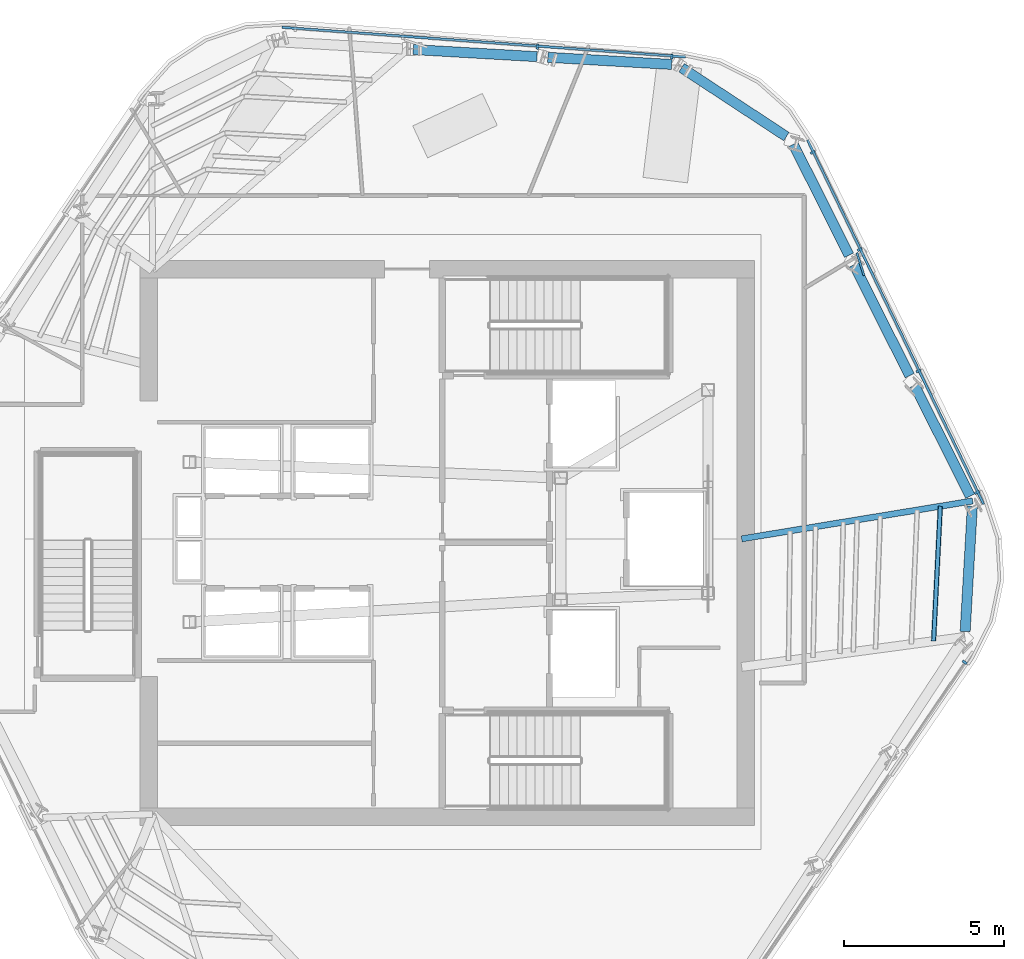
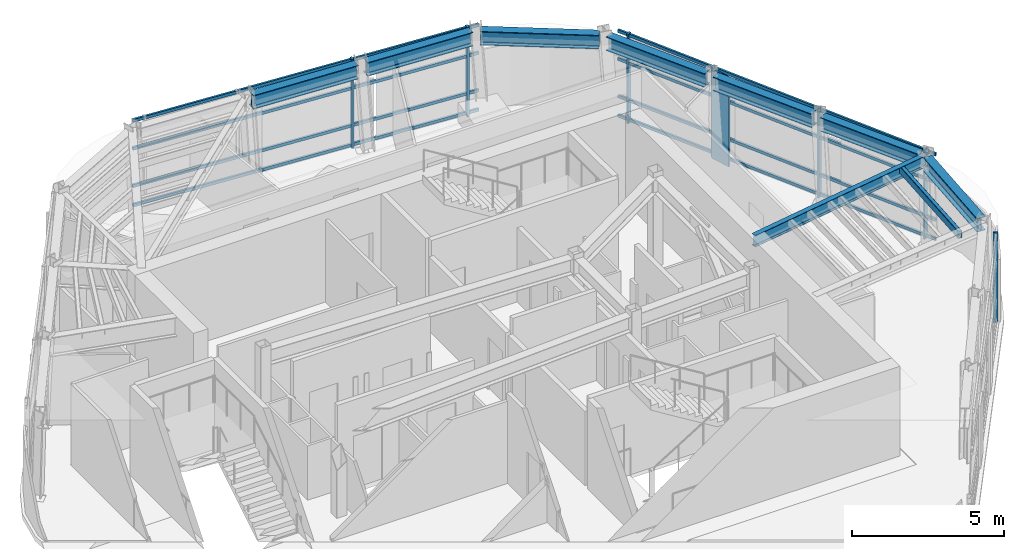
# One storey, part 4 of 11: 17 members, 8 beams, 3 elements without a shape of their own.
"""IFC4 building model written with IfcOpenShell, lengths in metres."""

from ifc_helpers import new_model, si_unit, direction, frame, origin, origin_2d, place, context, subcontext, project, spatial, rectangle, hollow_rectangle, i_section, extrude, material, layer, layer_set, material_profile, profile_set, type_object, element, aggregate, save


model = new_model("IFC4")

# Units and contexts
model_context = context("Model", 3, precision=1e-05, world=origin(), true_north=direction((0.0, 1.0)))
body_context = subcontext(model_context, "Body", "Model", "MODEL_VIEW")
ifc_project = project(units=[si_unit("LENGTHUNIT", "METRE"), si_unit("AREAUNIT", "SQUARE_METRE"), si_unit("VOLUMEUNIT", "CUBIC_METRE"), si_unit("PLANEANGLEUNIT", "RADIAN"), si_unit("MASSUNIT", "GRAM", prefix="KILO")], contexts=[model_context])

# Site, building, storey
site_placement = place(None, origin())
site = spatial("IfcSite", under=ifc_project, at=site_placement, CompositionType="ELEMENT")
building_placement = place(site_placement, origin())
building = spatial("IfcBuilding", under=site, at=building_placement, Name="Valkerne Bourse Tower", CompositionType="ELEMENT")
storey_placement = place(building_placement, frame((0.0, 0.0, 266.0)))
storey = spatial("IfcBuildingStorey", under=building, at=storey_placement, Name="L67", CompositionType="ELEMENT", Elevation=266.0)

# Beams
ifc_material_1 = material(Name="Steel ASTM A992", Category="steel")
ifc_material_profile_1 = material_profile(ifc_material_1, i_section(OverallWidth=0.1904296875, OverallDepth=0.457275390625, WebThickness=0.009033203125, FlangeThickness=0.014404296875, FilletRadius=0.01513671875, at=origin_2d()), Name="W18X50")
ifc_profile_set_1 = profile_set([ifc_material_profile_1], Name="Steel ASTM A992")
beam_type_1 = type_object("IfcBeamType", Name="BM-W18X50", PredefinedType="JOIST", material=ifc_profile_set_1)
beam_1_placement = place(storey_placement, frame((63.216796875, 28.184814453125, 3.371337890625), z_axis=(-0.986789808583, -0.16200578285, 0.0), x_axis=(0.16200578285, -0.986789808583, 0.0)))
element("IfcBeam", 1, at=beam_1_placement, inside=storey, type_object=beam_type_1, Name="L67 Radial Composite Floor Beam 20", PredefinedType="JOIST", context=body_context, shape_type="SweptSolid", body=[
    extrude(i_section(OverallWidth=0.1904296875, OverallDepth=0.457275390625, WebThickness=0.009033203125, FlangeThickness=0.014404296875, FilletRadius=0.01513671875, at=origin_2d()), origin(), (0.0, 0.0, 1.0), 7.3134765625),
])
ifc_material_profile_2 = material_profile(ifc_material_1, i_section(OverallWidth=0.31494140625, OverallDepth=0.5537109375, WebThickness=0.0166015625, FlangeThickness=0.026123046875, FilletRadius=0.020263671875, at=origin_2d()), Name="W21X132")
ifc_profile_set_2 = profile_set([ifc_material_profile_2], Name="Steel ASTM A992")
beam_type_2 = type_object("IfcBeamType", Name="BM-W21X132", PredefinedType="BEAM", material=ifc_profile_set_2)
beam_2_placement = place(storey_placement, frame((53.812744140625, 41.819580078125, 3.322998046875), z_axis=(-0.998341753912, 0.057565114394, 0.0), x_axis=(-0.057565114394, -0.998341753912, 0.0)))
element("IfcBeam", 2, at=beam_2_placement, inside=storey, type_object=beam_type_2, Name="L67 Hexagonal Spandrel Ring Beam 00", PredefinedType="BEAM", context=body_context, shape_type="SweptSolid", body=[
    extrude(i_section(OverallWidth=0.31494140625, OverallDepth=0.5537109375, WebThickness=0.0166015625, FlangeThickness=0.026123046875, FilletRadius=0.020263671875, at=origin_2d()), origin(), (0.0, 0.0, 1.0), 3.8720703125),
])
beam_3_placement = place(storey_placement, frame((49.607666015625, 42.06201171875, 3.322998046875), z_axis=(-0.998341544959, 0.057568738113, 0.0), x_axis=(-0.057568738113, -0.998341544959, 0.0)))
element("IfcBeam", 3, at=beam_3_placement, inside=storey, type_object=beam_type_2, Name="L67 Hexagonal Spandrel Ring Beam 01", PredefinedType="BEAM", context=body_context, shape_type="SweptSolid", body=[
    extrude(i_section(OverallWidth=0.31494140625, OverallDepth=0.5537109375, WebThickness=0.0166015625, FlangeThickness=0.026123046875, FilletRadius=0.020263671875, at=origin_2d()), origin(), (0.0, 0.0, 1.0), 3.871826171875),
])
beam_4_placement = place(storey_placement, frame((62.981689453125, 24.10595703125, 3.322998046875), z_axis=(0.057548732861, 0.998342698349, 0.0), x_axis=(-0.998342698349, 0.057548732861, 0.0)))
element("IfcBeam", 4, at=beam_4_placement, inside=storey, type_object=beam_type_2, Name="L67 Hexagonal Spandrel Ring Beam 19", PredefinedType="BEAM", context=body_context, shape_type="SweptSolid", body=[
    extrude(i_section(OverallWidth=0.31494140625, OverallDepth=0.5537109375, WebThickness=0.0166015625, FlangeThickness=0.026123046875, FilletRadius=0.020263671875, at=origin_2d()), origin(), (0.0, 0.0, 1.0), 3.915771484375),
])
for number, where, z_axis, x_axis, name in (
    (5, (63.140380859375, 28.336669921875, 3.322998046875), (-0.449280667329, 0.893390665926, 0.0), (-0.893390665926, -0.449280667329, 0.0), "L67 Hexagonal Spandrel Ring Beam 20"),
    (6, (61.248046875, 32.099609375, 3.322998046875), (-0.449330993887, 0.893365355234, 0.0), (-0.893365355234, -0.449330993887, 0.0), "L67 Hexagonal Spandrel Ring Beam 21"),
):
    element("IfcBeam", number, at=place(storey_placement, frame(where, z_axis=z_axis, x_axis=x_axis)), inside=storey, type_object=beam_type_2, Name=name, PredefinedType="BEAM", context=body_context, shape_type="SweptSolid", body=[
        extrude(i_section(OverallWidth=0.31494140625, OverallDepth=0.5537109375, WebThickness=0.0166015625, FlangeThickness=0.026123046875, FilletRadius=0.020263671875, at=origin_2d()), origin(), (0.0, 0.0, 1.0), 3.871826171875),
    ])
beam_5_placement = place(storey_placement, frame((59.35546875, 35.8623046875, 3.322998046875), z_axis=(-0.44930568374, 0.893378084888, 0.0), x_axis=(-0.893378084888, -0.44930568374, 0.0)))
element("IfcBeam", 7, at=beam_5_placement, inside=storey, type_object=beam_type_2, Name="L67 Hexagonal Spandrel Ring Beam 22", PredefinedType="BEAM", context=body_context, shape_type="SweptSolid", body=[
    extrude(i_section(OverallWidth=0.31494140625, OverallDepth=0.5537109375, WebThickness=0.0166015625, FlangeThickness=0.026123046875, FilletRadius=0.020263671875, at=origin_2d()), origin(), (0.0, 0.0, 1.0), 3.8720703125),
])
beam_6_placement = place(storey_placement, frame((57.397216796875, 39.566650390625, 3.322998046875), z_axis=(-0.835791315198, 0.54904724518, 0.0), x_axis=(-0.54904724518, -0.835791315198, 0.0)))
element("IfcBeam", 8, at=beam_6_placement, inside=storey, type_object=beam_type_2, Name="L67 Hexagonal Spandrel Ring Beam 23", PredefinedType="BEAM", context=body_context, shape_type="SweptSolid", body=[
    extrude(i_section(OverallWidth=0.31494140625, OverallDepth=0.5537109375, WebThickness=0.0166015625, FlangeThickness=0.026123046875, FilletRadius=0.020263671875, at=origin_2d()), origin(), (0.0, 0.0, 1.0), 3.915771484375),
])

# Curtain wall, members
ifc_material_2 = material(Name="Aluminium AA 6063-T6", Category="aluminium")
ifc_layer = layer(ifc_material_2, 0.2451171875)
ifc_layer_set = layer_set([ifc_layer], Name="Aluminium AA 6063-T6")
curtain_wall_type = type_object("IfcCurtainWallType", Name="CW-05", PredefinedType="NOTDEFINED", material=ifc_layer_set)
curtain_wall_1_placement = place(storey_placement, origin())
curtain_wall_1 = element("IfcCurtainWall", 9, at=curtain_wall_1_placement, inside=storey, type_object=curtain_wall_type, Name="L67 Hexagonal Stick Curtain Wall Face 1", PredefinedType="NOTDEFINED")
ifc_material_profile_3 = material_profile(ifc_material_2, rectangle(XDim=0.074951171875, YDim=0.159912109375, at=origin_2d()), Name="CWM-75X160")
ifc_profile_set_3 = profile_set([ifc_material_profile_3], Name="Aluminium AA 6063-T6")
member_type_1 = type_object("IfcMemberType", Name="CW-MUL-160X75", PredefinedType="MULLION", material=ifc_profile_set_3)
member_1_placement = place(storey_placement, frame((53.8203125, 42.06494140625, 0.0), z_axis=(0.0, 0.0, 1.0), x_axis=(-0.997314132558, 0.073242890438, 0.0)))
member_1 = element("IfcMember", 10, at=member_1_placement, type_object=member_type_1, Name="CW-L67-F1 Jamb Mullion 00A", PredefinedType="MULLION", context=body_context, shape_type="SweptSolid", body=[
    extrude(rectangle(XDim=0.074951171875, YDim=0.159912109375, at=origin_2d()), origin(), (0.0, 0.0, 1.0), 3.60009765625),
])
member_2_placement = place(storey_placement, frame((49.619384765625, 42.37353515625, 0.0), z_axis=(0.0, 0.0, 1.0), x_axis=(-0.997314132558, 0.073242890438, 0.0)))
member_2 = element("IfcMember", 11, at=member_2_placement, type_object=member_type_1, Name="CW-L67-F1 Jamb Mullion 01A", PredefinedType="MULLION", context=body_context, shape_type="SweptSolid", body=[
    extrude(rectangle(XDim=0.074951171875, YDim=0.159912109375, at=origin_2d()), origin(), (0.0, 0.0, 1.0), 3.60009765625),
])

# Curtain wall, member
curtain_wall_2_placement = place(storey_placement, origin())
curtain_wall_2 = element("IfcCurtainWall", 12, at=curtain_wall_2_placement, inside=storey, type_object=curtain_wall_type, Name="L67 Hexagonal Stick Curtain Wall Face 5", PredefinedType="NOTDEFINED")
member_3_placement = place(storey_placement, frame((62.966796875, 23.14404296875, 0.0), z_axis=(0.0, 0.0, 1.0), x_axis=(0.562091154776, 0.827075289029, 0.0)))
member_3 = element("IfcMember", 13, at=member_3_placement, type_object=member_type_1, Name="CW-L67-F5 Jamb Mullion 02B", PredefinedType="MULLION", context=body_context, shape_type="SweptSolid", body=[
    extrude(rectangle(XDim=0.074951171875, YDim=0.159912109375, at=origin_2d()), origin(), (0.0, 0.0, 1.0), 3.60009765625),
])
aggregate(curtain_wall_2, [member_3])

# Curtain wall, members
curtain_wall_3_placement = place(storey_placement, origin())
curtain_wall_3 = element("IfcCurtainWall", 14, at=curtain_wall_3_placement, inside=storey, type_object=curtain_wall_type, Name="L67 Hexagonal Stick Curtain Wall Face 6", PredefinedType="NOTDEFINED")
member_4_placement = place(storey_placement, frame((63.356689453125, 28.452880859375, 0.0), z_axis=(0.0, 0.0, 1.0), x_axis=(-0.435236340533, 0.900316237707, 0.0)))
member_4 = element("IfcMember", 15, at=member_4_placement, type_object=member_type_1, Name="CW-L67-F6 Jamb Mullion 00A", PredefinedType="MULLION", context=body_context, shape_type="SweptSolid", body=[
    extrude(rectangle(XDim=0.074951171875, YDim=0.159912109375, at=origin_2d()), origin(), (0.0, 0.0, 1.0), 3.60009765625),
])
member_5_placement = place(storey_placement, frame((61.523681640625, 32.2451171875, 0.0), z_axis=(0.0, 0.0, 1.0), x_axis=(-0.435236340533, 0.900316237707, 0.0)))
member_5 = element("IfcMember", 16, at=member_5_placement, type_object=member_type_1, Name="CW-L67-F6 Jamb Mullion 01A", PredefinedType="MULLION", context=body_context, shape_type="SweptSolid", body=[
    extrude(rectangle(XDim=0.074951171875, YDim=0.159912109375, at=origin_2d()), origin(), (0.0, 0.0, 1.0), 3.60009765625),
])
member_6_placement = place(storey_placement, frame((59.6904296875, 36.037109375, 0.0), z_axis=(0.0, 0.0, 1.0), x_axis=(-0.435227037453, 0.900320735, 0.0)))
member_6 = element("IfcMember", 17, at=member_6_placement, type_object=member_type_1, Name="CW-L67-F6 Jamb Mullion 02A", PredefinedType="MULLION", context=body_context, shape_type="SweptSolid", body=[
    extrude(rectangle(XDim=0.074951171875, YDim=0.159912109375, at=origin_2d()), origin(), (0.0, 0.0, 1.0), 3.60009765625),
])
member_7_placement = place(storey_placement, frame((58.222900390625, 39.072998046875, 0.0), z_axis=(0.0, 0.0, 1.0), x_axis=(-0.435227037453, 0.900320735, 0.0)))
member_7 = element("IfcMember", 18, at=member_7_placement, type_object=member_type_1, Name="CW-L67-F6 Jamb Mullion 02B", PredefinedType="MULLION", context=body_context, shape_type="SweptSolid", body=[
    extrude(rectangle(XDim=0.074951171875, YDim=0.159912109375, at=origin_2d()), origin(), (0.0, 0.0, 1.0), 3.60009765625),
])

# Member
ifc_material_profile_4 = material_profile(ifc_material_2, rectangle(XDim=0.074951171875, YDim=0.1201171875, at=origin_2d()), Name="CWT-75X120")
ifc_profile_set_4 = profile_set([ifc_material_profile_4], Name="Aluminium AA 6063-T6")
member_type_2 = type_object("IfcMemberType", Name="CW-TRN-120X75", PredefinedType="USERDEFINED", material=ifc_profile_set_4)
member_8_placement = place(storey_placement, frame((54.240478515625, 42.05419921875, 0.1201171875), z_axis=(-0.997315308342, 0.073226878581, 0.0), x_axis=(-0.073226878581, -0.997315308342, 0.0)))
member_8 = element("IfcMember", 19, at=member_8_placement, type_object=member_type_2, Name="CW-L67-F1 Continuous Face Transom 1", ObjectType="TRANSOM", PredefinedType="USERDEFINED", context=body_context, shape_type="SweptSolid", body=[
    extrude(rectangle(XDim=0.074951171875, YDim=0.1201171875, at=origin_2d()), origin(), (0.0, 0.0, 1.0), 12.635986328125),
])

member_9_placement = place(storey_placement, frame((54.240478515625, 42.05419921875, 0.89990234375), z_axis=(-0.997315308342, 0.073226878581, 0.0), x_axis=(-0.073226878581, -0.997315308342, 0.0)))
member_9 = element("IfcMember", 20, at=member_9_placement, type_object=member_type_2, Name="CW-L67-F1 Continuous Face Transom 2", ObjectType="TRANSOM", PredefinedType="USERDEFINED", context=body_context, shape_type="SweptSolid", body=[
    extrude(rectangle(XDim=0.074951171875, YDim=0.1201171875, at=origin_2d()), origin(), (0.0, 0.0, 1.0), 12.635986328125),
])

member_10_placement = place(storey_placement, frame((54.240478515625, 42.05419921875, 2.39990234375), z_axis=(-0.997315308342, 0.073226878581, 0.0), x_axis=(-0.073226878581, -0.997315308342, 0.0)))
member_10 = element("IfcMember", 21, at=member_10_placement, type_object=member_type_2, Name="CW-L67-F1 Continuous Face Transom 3", ObjectType="TRANSOM", PredefinedType="USERDEFINED", context=body_context, shape_type="SweptSolid", body=[
    extrude(rectangle(XDim=0.074951171875, YDim=0.1201171875, at=origin_2d()), origin(), (0.0, 0.0, 1.0), 12.635986328125),
])

member_11_placement = place(storey_placement, frame((54.240478515625, 42.05419921875, 3.52001953125), z_axis=(-0.997315308342, 0.073226878581, 0.0), x_axis=(-0.073226878581, -0.997315308342, 0.0)))
member_11 = element("IfcMember", 22, at=member_11_placement, type_object=member_type_2, Name="CW-L67-F1 Continuous Face Transom 4", ObjectType="TRANSOM", PredefinedType="USERDEFINED", context=body_context, shape_type="SweptSolid", body=[
    extrude(rectangle(XDim=0.074951171875, YDim=0.1201171875, at=origin_2d()), origin(), (0.0, 0.0, 1.0), 12.635986328125),
])

aggregate(curtain_wall_1, [member_8, member_9, member_10, member_11, member_1, member_2])

member_12_placement = place(storey_placement, frame((63.5576171875, 28.08349609375, 0.1201171875), z_axis=(-0.43522556557, 0.900321446526, 0.0), x_axis=(-0.900321446526, -0.43522556557, 0.0)))
member_12 = element("IfcMember", 23, at=member_12_placement, type_object=member_type_2, Name="CW-L67-F6 Continuous Face Transom 1", ObjectType="TRANSOM", PredefinedType="USERDEFINED", context=body_context, shape_type="SweptSolid", body=[
    extrude(rectangle(XDim=0.074951171875, YDim=0.1201171875, at=origin_2d()), origin(), (0.0, 0.0, 1.0), 12.635986328125),
])

member_13_placement = place(storey_placement, frame((63.5576171875, 28.08349609375, 0.89990234375), z_axis=(-0.43522556557, 0.900321446526, 0.0), x_axis=(-0.900321446526, -0.43522556557, 0.0)))
member_13 = element("IfcMember", 24, at=member_13_placement, type_object=member_type_2, Name="CW-L67-F6 Continuous Face Transom 2", ObjectType="TRANSOM", PredefinedType="USERDEFINED", context=body_context, shape_type="SweptSolid", body=[
    extrude(rectangle(XDim=0.074951171875, YDim=0.1201171875, at=origin_2d()), origin(), (0.0, 0.0, 1.0), 12.635986328125),
])

member_14_placement = place(storey_placement, frame((63.5576171875, 28.08349609375, 2.39990234375), z_axis=(-0.43522556557, 0.900321446526, 0.0), x_axis=(-0.900321446526, -0.43522556557, 0.0)))
member_14 = element("IfcMember", 25, at=member_14_placement, type_object=member_type_2, Name="CW-L67-F6 Continuous Face Transom 3", ObjectType="TRANSOM", PredefinedType="USERDEFINED", context=body_context, shape_type="SweptSolid", body=[
    extrude(rectangle(XDim=0.074951171875, YDim=0.1201171875, at=origin_2d()), origin(), (0.0, 0.0, 1.0), 12.635986328125),
])

member_15_placement = place(storey_placement, frame((63.5576171875, 28.08349609375, 3.52001953125), z_axis=(-0.43522556557, 0.900321446526, 0.0), x_axis=(-0.900321446526, -0.43522556557, 0.0)))
member_15 = element("IfcMember", 26, at=member_15_placement, type_object=member_type_2, Name="CW-L67-F6 Continuous Face Transom 4", ObjectType="TRANSOM", PredefinedType="USERDEFINED", context=body_context, shape_type="SweptSolid", body=[
    extrude(rectangle(XDim=0.074951171875, YDim=0.1201171875, at=origin_2d()), origin(), (0.0, 0.0, 1.0), 12.635986328125),
])

aggregate(curtain_wall_3, [member_12, member_13, member_14, member_15, member_4, member_5, member_6, member_7])

# Members
ifc_material_3 = material(Name="Bronze Anodised Aluminium AA 6063-T6", Category="aluminium")
ifc_material_profile_5 = material_profile(ifc_material_3, rectangle(XDim=0.06494140625, YDim=0.75, at=origin_2d()), Name="FIN-65X750")
ifc_profile_set_5 = profile_set([ifc_material_profile_5], Name="Bronze Anodised Aluminium AA 6063-T6")
member_type_3 = type_object("IfcMemberType", Name="FIN-SOLAR-650", PredefinedType="USERDEFINED", material=ifc_profile_set_5)
member_16_placement = place(storey_placement, frame((59.711181640625, 35.58056640625, 0.00390625), z_axis=(0.0, 0.0, 1.0), x_axis=(0.953656009346, 0.300899012692, 0.0)))
element("IfcMember", 27, at=member_16_placement, inside=storey, type_object=member_type_3, Name="L67 Bronze Anodised Solar Fin F6-02", ObjectType="SOLAR_FIN", PredefinedType="USERDEFINED", context=body_context, shape_type="SweptSolid", body=[
    extrude(rectangle(XDim=0.06494140625, YDim=0.75, at=origin_2d()), origin(), (0.0, 0.0, 1.0), 3.592041015625),
])
ifc_material_4 = material(Name="Steel ASTM A500 Grade C", Category="steel")
ifc_material_profile_6 = material_profile(ifc_material_4, hollow_rectangle(XDim=0.14990234375, YDim=0.300048828125, WallThickness=0.012451171875, OuterFilletRadius=0.02490234375, at=origin_2d()), Name="HSS300X150X12.5")
ifc_profile_set_6 = profile_set([ifc_material_profile_6], Name="Steel ASTM A500 Grade C")
member_type_4 = type_object("IfcMemberType", Name="MBR-HSS300X150X12.5", PredefinedType="PURLIN", material=ifc_profile_set_6)
member_17_placement = place(storey_placement, frame((61.995849609375, 23.80517578125, 3.43994140625), z_axis=(0.049940503152, 0.998752194563, 0.0), x_axis=(-0.998752194563, 0.049940503152, 0.0)))
element("IfcMember", 28, at=member_17_placement, inside=storey, type_object=member_type_4, Name="L67 Secondary Composite Floor Purlin T-19", PredefinedType="PURLIN", context=body_context, shape_type="SweptSolid", body=[
    extrude(hollow_rectangle(XDim=0.14990234375, YDim=0.300048828125, WallThickness=0.012451171875, OuterFilletRadius=0.02490234375, at=origin_2d()), origin(), (0.0, 0.0, 1.0), 4.218994140625),
])

save(model, "model.ifc")
